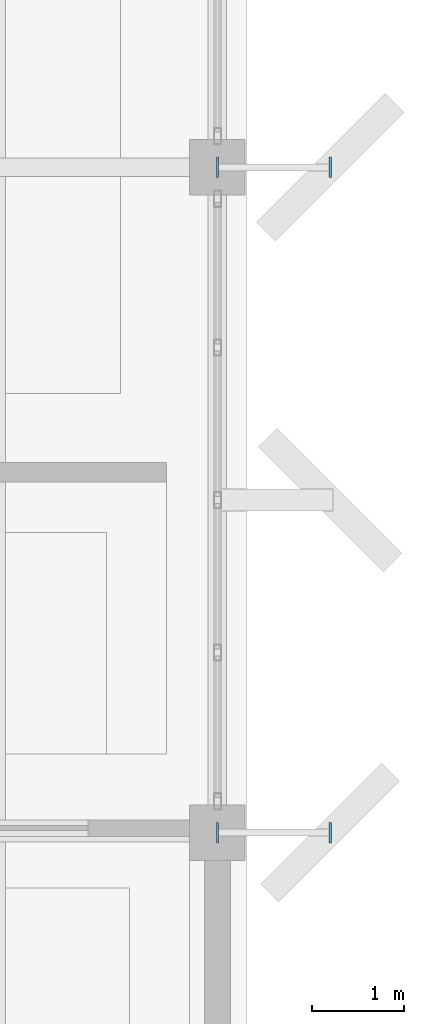
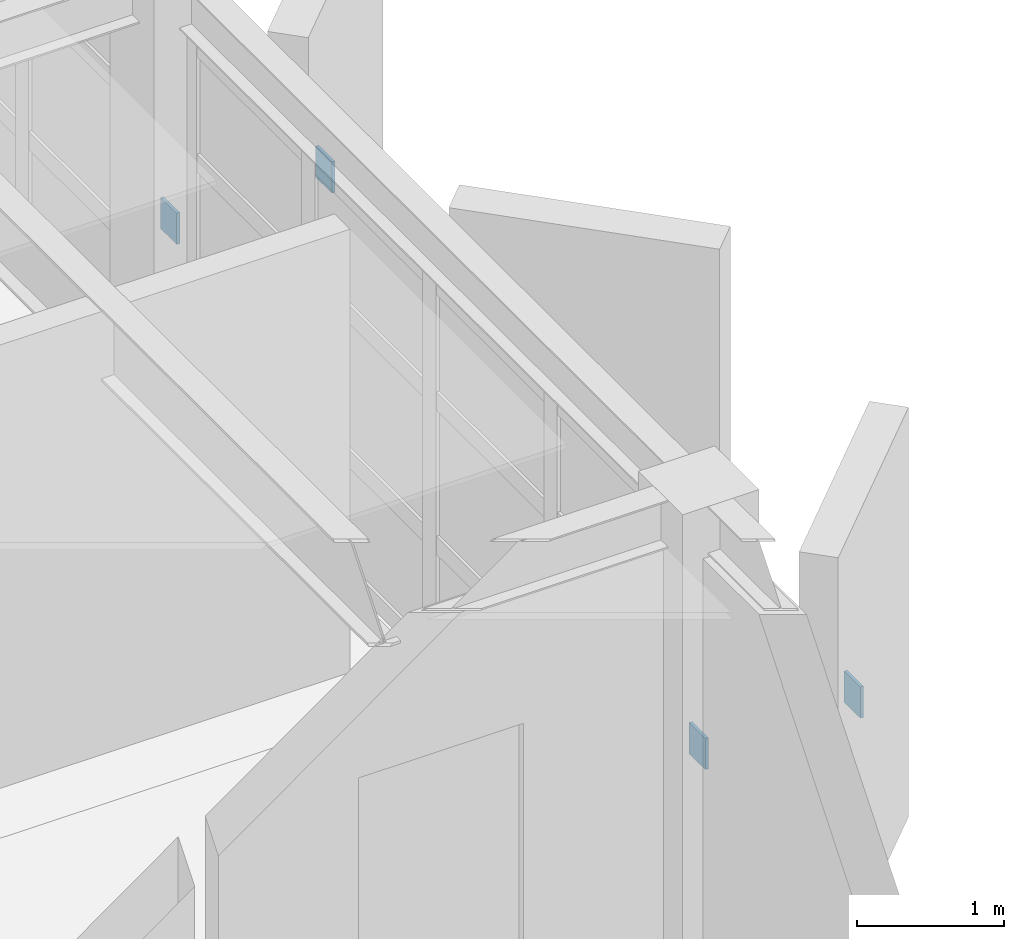
# One storey, part 14 of 15: 4 discrete accessories.
"""IFC4 building model written with IfcOpenShell, lengths in metres."""

from ifc_helpers import new_model, si_unit, direction, frame, origin, origin_2d, place, context, subcontext, project, spatial, rectangle, extrude, material, type_object, element, save


model = new_model("IFC4")

# Units and contexts
model_context = context("Model", 3, precision=1e-05, world=origin(), true_north=direction((0.0, 1.0)))
body_context = subcontext(model_context, "Body", "Model", "MODEL_VIEW")
ifc_project = project(units=[si_unit("LENGTHUNIT", "METRE"), si_unit("AREAUNIT", "SQUARE_METRE"), si_unit("VOLUMEUNIT", "CUBIC_METRE"), si_unit("PLANEANGLEUNIT", "RADIAN"), si_unit("MASSUNIT", "GRAM", prefix="KILO")], contexts=[model_context])

# Site, building, storey
site_placement = place(None, origin())
site = spatial("IfcSite", under=ifc_project, at=site_placement, CompositionType="ELEMENT")
building_placement = place(site_placement, origin())
building = spatial("IfcBuilding", under=site, at=building_placement, Name="Kandorven Conservatory and Botanical Research Centre", CompositionType="ELEMENT")
storey_placement = place(building_placement, frame((0.0, 0.0, 52.199951171875)))
storey = spatial("IfcBuildingStorey", under=building, at=storey_placement, Name="L13", CompositionType="ELEMENT", Elevation=52.199951171875)

# Discrete accessories
ifc_material = material(Name="Steel S355 (IS 2062 E350)", Category="steel")
discrete_accessory_type = type_object("IfcDiscreteAccessoryType", Name="SteelGussetPlate", PredefinedType="BRACKET", material=ifc_material)
for number, where, z_axis, x_axis, name in (
    (1, (34.800048828125, 13.199951171875, 1.3701171875), (0.0, 0.0, 1.0), (1.0, 0.0, 0.0), "Welded steel strut end-plate GUS-01 #117A"),
    (2, (36.02001953125, 13.199951171875, 1.3701171875), (0.0, 0.0, 1.0), (1.0, 0.0, 0.0), "Welded steel strut end-plate GUS-01 #117B"),
    (3, (34.800048828125, 20.39990234375, 1.3701171875), (0.0, 0.0, 1.0), (1.0, 0.0, 0.0), "Welded steel strut end-plate GUS-01 #119A"),
    (4, (36.02001953125, 20.39990234375, 1.3701171875), (0.0, 0.0, 1.0), (1.0, 0.0, 0.0), "Welded steel strut end-plate GUS-01 #119B"),
):
    element("IfcDiscreteAccessory", number, at=place(storey_placement, frame(where, z_axis=z_axis, x_axis=x_axis)), inside=storey, type_object=discrete_accessory_type, Name=name, PredefinedType="BRACKET", context=body_context, shape_type="SweptSolid", body=[
        extrude(rectangle(XDim=0.02392578125, YDim=0.219970703125, at=origin_2d()), origin(), (0.0, 0.0, 1.0), 0.260009765625),
    ])

save(model, "model.ifc")
